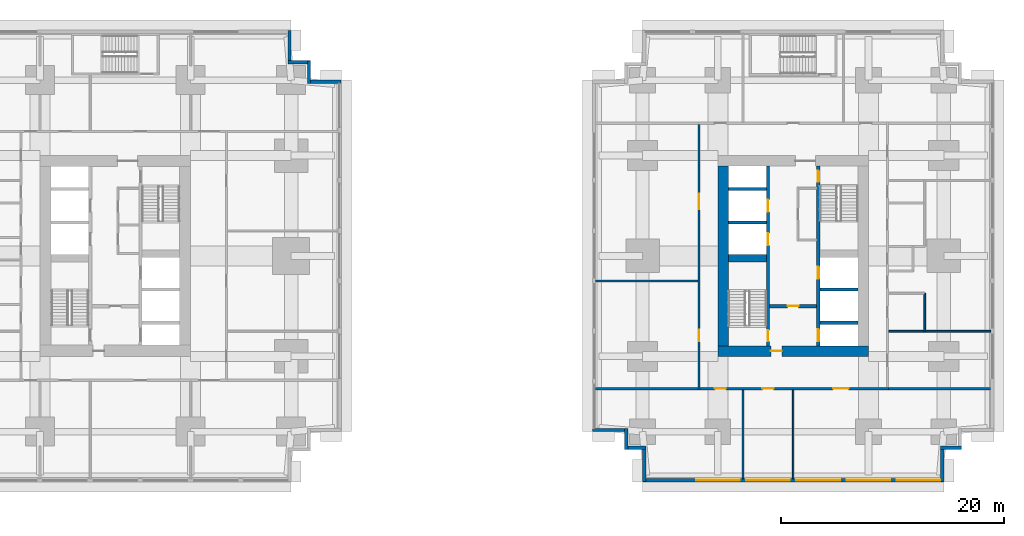
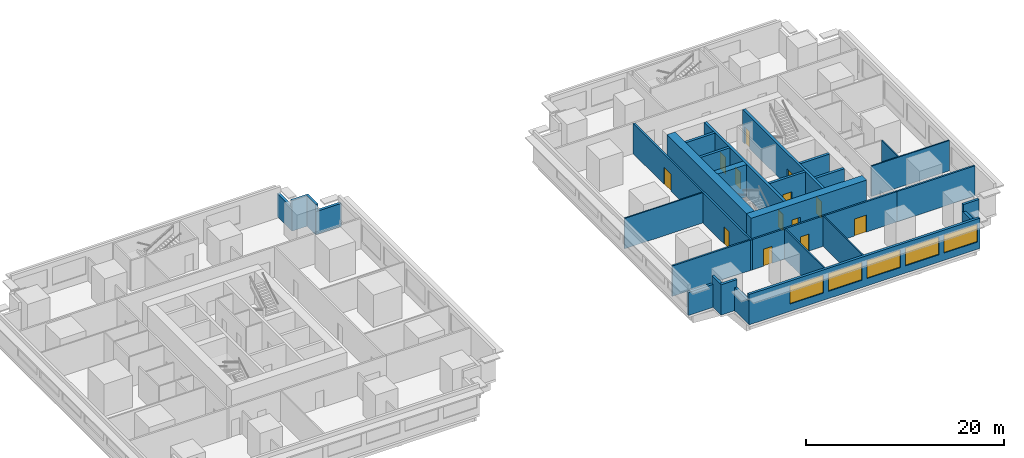
# One storey, part 6 of 11: 30 walls, 13 doors, 5 windows, 18 openings.
"""IFC4 building model written with IfcOpenShell, lengths in metres."""

import ifcopenshell
import ifcopenshell.guid

model = None  # the IFC model being written
_history = None  # IfcOwnerHistory: only IFC2X3 demands one
_inside = {}  # id of a spatial element -> (the spatial element, [elements in it])
_under = {}  # id of a project, library or spatial element -> (it, [spatial elements below it])
_declared = {}  # id of a project -> (the project, [libraries it declares])
_typed = {}  # id of a type object -> (the type object, [elements of that type])
_made_of = {}  # id of a material, layer set ... -> (it, [elements and type objects made of it])


def new_model(schema):
    """Start an empty IFC model of exactly this schema.

    Asked for "IFC4X3", IfcOpenShell would pick the latest addendum, in which some entities
    have other attributes; the version numbers below select the first issue.
    IFC2X3 requires an IfcOwnerHistory on every rooted entity: one is made here for all.
    """
    global model, _history
    if schema == "IFC4X3":
        model = ifcopenshell.file(schema_version=(4, 3, 0, 0))
    else:
        model = ifcopenshell.file(schema=schema)
    _inside.clear()
    _under.clear()
    _declared.clear()
    _typed.clear()
    _made_of.clear()
    _history = None
    if model.schema == "IFC2X3":
        org = make("IfcOrganization", Name="unknown")
        user = make(
            "IfcPersonAndOrganization",
            ThePerson=make("IfcPerson", FamilyName="unknown"),
            TheOrganization=org,
        )
        app = make(
            "IfcApplication",
            ApplicationDeveloper=org,
            Version="unknown",
            ApplicationFullName="unknown",
            ApplicationIdentifier="unknown",
        )
        _history = make(
            "IfcOwnerHistory",
            OwningUser=user,
            OwningApplication=app,
            ChangeAction="ADDED",
            CreationDate=0,
        )
    return model


def make(cls, **values):
    """One entity of the class cls with the attributes given. An attribute that is None is left unset."""
    return model.create_entity(
        cls, **{name: value for name, value in values.items() if value is not None}
    )


def rooted(cls, **values):
    """An entity with a GlobalId (a new one), such as an element, a storey or a relation."""
    return make(cls, GlobalId=ifcopenshell.guid.new(), OwnerHistory=_history, **values)


def si_unit(unit_type, name, prefix=None):
    """IfcSIUnit, for example si_unit("LENGTHUNIT", "METRE", prefix="MILLI")."""
    return make("IfcSIUnit", UnitType=unit_type, Prefix=prefix, Name=name)


def assignment(units):
    """IfcUnitAssignment: the units of a project."""
    return None if units is None else make("IfcUnitAssignment", Units=units)


def point(xyz):
    """IfcCartesianPoint."""
    return None if xyz is None else make("IfcCartesianPoint", Coordinates=xyz)


def direction(xyz):
    """IfcDirection."""
    return None if xyz is None else make("IfcDirection", DirectionRatios=xyz)


def frame(location, z_axis=None, x_axis=None):
    """IfcAxis2Placement3D, a coordinate frame: its origin and axes. An axis left out is left unset."""
    return make(
        "IfcAxis2Placement3D",
        Location=point(location),
        Axis=direction(z_axis),
        RefDirection=direction(x_axis),
    )


def frame_2d(location, x_axis=None):
    """IfcAxis2Placement2D, a coordinate frame in the plane: its origin and x axis."""
    return make(
        "IfcAxis2Placement2D", Location=point(location), RefDirection=direction(x_axis)
    )


def origin():
    """The frame at (0, 0, 0) with its axes left unset."""
    return frame((0.0, 0.0, 0.0))


def place(relative_to, where):
    """IfcLocalPlacement: puts the frame where relative to a parent placement (None: the world)."""
    return make(
        "IfcLocalPlacement", PlacementRelTo=relative_to, RelativePlacement=where
    )


def context(
    kind, dimensions, precision=None, world=None, true_north=None, identifier=None
):
    """IfcGeometricRepresentationContext, for example the 3D "Model" context."""
    return make(
        "IfcGeometricRepresentationContext",
        ContextIdentifier=identifier,
        ContextType=kind,
        CoordinateSpaceDimension=dimensions,
        Precision=precision,
        WorldCoordinateSystem=world,
        TrueNorth=true_north,
    )


def subcontext(parent, identifier, kind, view, scale=None):
    """IfcGeometricRepresentationSubContext, for example "Body" below "Model"."""
    return make(
        "IfcGeometricRepresentationSubContext",
        ContextIdentifier=identifier,
        ContextType=kind,
        ParentContext=parent,
        TargetScale=scale,
        TargetView=view,
    )


def project(units=None, contexts=None):
    """IfcProject with its units and contexts."""
    return rooted(
        "IfcProject",
        Name="project",
        RepresentationContexts=contexts,
        UnitsInContext=assignment(units),
    )


def spatial(cls, under=None, at=None, **own):
    """A site, building, storey or space (cls), placed at a placement, below another one or the project."""
    s = rooted(cls, ObjectPlacement=at, **own)
    if under is not None:
        _under.setdefault(under.id(), (under, []))[1].append(s)
    return s


def profile(cls, at=None, kind="AREA", **sizes):
    """A parametric profile (cls). Its sizes go by their IFC names, for example OverallWidth=200.0."""
    return make(cls, ProfileType=kind, Position=at, **sizes)


def rectangle(**sizes):
    """IfcRectangleProfileDef."""
    return profile("IfcRectangleProfileDef", **sizes)


def extrude(swept, where, along, depth):
    """IfcExtrudedAreaSolid: the profile swept, set in the frame where, extruded along a direction by depth."""
    return make(
        "IfcExtrudedAreaSolid",
        SweptArea=swept,
        Position=where,
        ExtrudedDirection=direction(along),
        Depth=depth,
    )


def shape(context_of_items, identifier, shape_type, items):
    """IfcShapeRepresentation: the items that make up one representation, for example the "Body"."""
    return make(
        "IfcShapeRepresentation",
        ContextOfItems=context_of_items,
        RepresentationIdentifier=identifier,
        RepresentationType=shape_type,
        Items=items,
    )


def material(Name=None, Category=None):
    """IfcMaterial."""
    return make("IfcMaterial", Name=Name, Category=Category)


def layer(
    of_material, thickness, ventilated=None, Name=None, Category=None, Priority=None
):
    """IfcMaterialLayer: one layer of a wall or slab, of a material (None: an air gap)."""
    return make(
        "IfcMaterialLayer",
        Material=of_material,
        LayerThickness=thickness,
        IsVentilated=ventilated,
        Name=Name,
        Category=Category,
        Priority=Priority,
    )


def layer_set(layers, Name=None):
    """IfcMaterialLayerSet."""
    return make("IfcMaterialLayerSet", MaterialLayers=layers, LayerSetName=Name)


def made_of(thing, what):
    """Note that an element or type object is made of a material, layer set ...; save() writes the relation."""
    if what is not None:
        _made_of.setdefault(what.id(), (what, []))[1].append(thing)
    return thing


def type_object(cls, material=None, **own):
    """A type object (cls), such as IfcWallType, which elements share."""
    return made_of(rooted(cls, **own), material)


def element(
    cls,
    number,
    at=None,
    inside=None,
    cuts=None,
    type_object=None,
    material=None,
    context=None,
    identifier="Body",
    shape_type=None,
    held_by="IfcProductDefinitionShape",
    body=None,
    shapes=None,
    **own,
):
    """One element of the class cls, such as IfcWall. Its Tag is "e" and its number.

    at: its placement. inside: the storey or other place that contains it. cuts: it is an
    opening in that element (IfcRelVoidsElement). A single representation is given by context,
    identifier, shape_type and body (its items); several are given by shapes. held_by: the class
    of the entity that holds the representations. save() writes the other relations.
    """
    e = rooted(cls, Tag="e%d" % number, ObjectPlacement=at, **own)
    if body is not None:
        shapes = [shape(context, identifier, shape_type, body)]
    if shapes is not None:
        e.Representation = make(held_by, Representations=shapes)
    if inside is not None:
        _inside.setdefault(inside.id(), (inside, []))[1].append(e)
    if cuts is not None:
        rooted(
            "IfcRelVoidsElement", RelatingBuildingElement=cuts, RelatedOpeningElement=e
        )
    if type_object is not None:
        _typed.setdefault(type_object.id(), (type_object, []))[1].append(e)
    return made_of(e, material)


def fill(opening, filler):
    """IfcRelFillsElement: the door or window that sits in an opening."""
    return rooted(
        "IfcRelFillsElement",
        RelatingOpeningElement=opening,
        RelatedBuildingElement=filler,
    )


def aggregate(whole, parts):
    """IfcRelAggregates: a whole, such as a stair, and the parts it consists of."""
    return rooted("IfcRelAggregates", RelatingObject=whole, RelatedObjects=parts)


def save(model, path):
    """Write the relations noted so far, then the file.

    IfcRelAggregates (storeys below a building ...), IfcRelContainedInSpatialStructure (elements
    in a storey), IfcRelDefinesByType, IfcRelAssociatesMaterial and IfcRelDeclares: one each for
    every whole, place, type object, material and project.
    """
    for whole, parts in _under.values():
        aggregate(whole, parts)
    for where, things in _inside.values():
        rooted(
            "IfcRelContainedInSpatialStructure",
            RelatedElements=things,
            RelatingStructure=where,
        )
    for kind, things in _typed.values():
        rooted("IfcRelDefinesByType", RelatedObjects=things, RelatingType=kind)
    for what, things in _made_of.values():
        rooted("IfcRelAssociatesMaterial", RelatedObjects=things, RelatingMaterial=what)
    for by, libraries in _declared.values():
        rooted("IfcRelDeclares", RelatingContext=by, RelatedDefinitions=libraries)
    model.write(path)


model = new_model("IFC4")

# Units and contexts
model_context = context("Model", 3, precision=1e-05, world=origin(), true_north=direction((0.0, 1.0)))
body_context = subcontext(model_context, "Body", "Model", "MODEL_VIEW")
ifc_project = project(units=[si_unit("LENGTHUNIT", "METRE"), si_unit("AREAUNIT", "SQUARE_METRE"), si_unit("VOLUMEUNIT", "CUBIC_METRE"), si_unit("PLANEANGLEUNIT", "RADIAN"), si_unit("MASSUNIT", "GRAM", prefix="KILO")], contexts=[model_context])

# Site, building, storey
site_placement = place(None, origin())
site = spatial("IfcSite", under=ifc_project, at=site_placement, CompositionType="ELEMENT")
building_placement = place(site_placement, origin())
building = spatial("IfcBuilding", under=site, at=building_placement, Name="Namib Vertical Campus", CompositionType="ELEMENT")
storey_placement = place(building_placement, frame((0.0, 0.0, 41.0)))
storey = spatial("IfcBuildingStorey", under=building, at=storey_placement, Name="L09", CompositionType="ELEMENT", Elevation=41.0)

# Wall, openings, doors
ifc_material_1 = material(Name="Concrete C60/75", Category="concrete")
ifc_layer_1 = layer(ifc_material_1, 0.300048828125)
ifc_layer_set_1 = layer_set([ifc_layer_1], Name="Concrete C60/75")
wall_type_1 = type_object("IfcWallType", Name="Core inner wall 300", PredefinedType="SHEAR", material=ifc_layer_set_1)
wall_1_placement = place(storey_placement, frame((78.75, 12.199951171875, 0.0), z_axis=(0.0, 0.0, 1.0), x_axis=(0.0, 1.0, 0.0)))
wall_1 = element("IfcWall", 1, at=wall_1_placement, inside=storey, type_object=wall_type_1, Name="Core inner wall B L09 W1", PredefinedType="SHEAR", context=body_context, shape_type="SweptSolid", body=[
    extrude(rectangle(XDim=16.10009765625, YDim=0.300048828125, at=frame_2d((8.050048828125, 0.0))), origin(), (0.0, 0.0, 1.0), 4.0),
])
opening_1_placement = place(wall_1_placement, frame((0.39990234375, 0.0, 0.0)))
opening_1 = element("IfcOpeningElement", 2, at=opening_1_placement, cuts=wall_1, Name="Opening FD1", PredefinedType="OPENING", context=body_context, shape_type="SweptSolid", body=[
    extrude(rectangle(XDim=1.0, YDim=2.10009765625, at=frame_2d((0.5, 1.050048828125))), frame((0.0, 0.159912109375, 0.0), z_axis=(0.0, -1.0, 0.0), x_axis=(1.0, 0.0, 0.0)), (0.0, 0.0, 1.0), 0.320068359375),
])
opening_2_placement = place(wall_1_placement, frame((9.0, 0.0, 0.0)))
opening_2 = element("IfcOpeningElement", 3, at=opening_2_placement, cuts=wall_1, Name="Opening LD1", PredefinedType="OPENING", context=body_context, shape_type="SweptSolid", body=[
    extrude(rectangle(XDim=1.10009765625, YDim=2.10009765625, at=frame_2d((0.550048828125, 1.050048828125))), frame((0.0, 0.159912109375, 0.0), z_axis=(0.0, -1.0, 0.0), x_axis=(1.0, 0.0, 0.0)), (0.0, 0.0, 1.0), 0.320068359375),
])
opening_3_placement = place(wall_1_placement, frame((12.0, 0.0, 0.0)))
opening_3 = element("IfcOpeningElement", 4, at=opening_3_placement, cuts=wall_1, Name="Opening LD1", PredefinedType="OPENING", context=body_context, shape_type="SweptSolid", body=[
    extrude(rectangle(XDim=1.10009765625, YDim=2.10009765625, at=frame_2d((0.550048828125, 1.050048828125))), frame((0.0, 0.159912109375, 0.0), z_axis=(0.0, -1.0, 0.0), x_axis=(1.0, 0.0, 0.0)), (0.0, 0.0, 1.0), 0.320068359375),
])
ifc_material_2 = material(Name="Steel fire door", Category="steel")
door_type_1 = type_object("IfcDoorType", Name="Fire door 1000x2100", OperationType="SINGLE_SWING_RIGHT", PredefinedType="DOOR", material=ifc_material_2)
door_1_placement = place(opening_1_placement, origin())
door_1 = element("IfcDoor", 5, at=door_1_placement, inside=storey, type_object=door_type_1, Name="Stair door FD1 B L09 S1", OperationType="SINGLE_SWING_LEFT", OverallHeight=2.10009765625, OverallWidth=1.0, PredefinedType="DOOR", context=body_context, shape_type="SweptSolid", body=[
    extrude(rectangle(XDim=1.0, YDim=2.10009765625, at=frame_2d((0.5, 1.050048828125))), frame((0.0, 0.02490234375, 0.0), z_axis=(0.0, -1.0, 0.0), x_axis=(1.0, 0.0, 0.0)), (0.0, 0.0, 1.0), 0.050048828125),
])
fill(opening_1, door_1)
ifc_material_3 = material(Name="Stainless steel lift door", Category="steel")
door_type_2 = type_object("IfcDoorType", Name="Lift landing door 1100x2100", OperationType="DOUBLE_DOOR_SLIDING", PredefinedType="DOOR", material=ifc_material_3)
door_2_placement = place(opening_2_placement, origin())
door_2 = element("IfcDoor", 6, at=door_2_placement, inside=storey, type_object=door_type_2, Name="Lift landing door LD1 B-P1 L09", OperationType="DOUBLE_DOOR_SLIDING", OverallHeight=2.10009765625, OverallWidth=1.10009765625, PredefinedType="DOOR", context=body_context, shape_type="SweptSolid", body=[
    extrude(rectangle(XDim=1.10009765625, YDim=2.10009765625, at=frame_2d((0.550048828125, 1.050048828125))), frame((0.0, 0.02490234375, 0.0), z_axis=(0.0, -1.0, 0.0), x_axis=(1.0, 0.0, 0.0)), (0.0, 0.0, 1.0), 0.050048828125),
])
fill(opening_2, door_2)
door_3_placement = place(opening_3_placement, origin())
door_3 = element("IfcDoor", 7, at=door_3_placement, inside=storey, type_object=door_type_2, Name="Lift landing door LD1 B-P2 L09", OperationType="DOUBLE_DOOR_SLIDING", OverallHeight=2.10009765625, OverallWidth=1.10009765625, PredefinedType="DOOR", context=body_context, shape_type="SweptSolid", body=[
    extrude(rectangle(XDim=1.10009765625, YDim=2.10009765625, at=frame_2d((0.550048828125, 1.050048828125))), frame((0.0, 0.02490234375, 0.0), z_axis=(0.0, -1.0, 0.0), x_axis=(1.0, 0.0, 0.0)), (0.0, 0.0, 1.0), 0.050048828125),
])
fill(opening_3, door_3)

wall_2_placement = place(storey_placement, frame((83.25, 12.199951171875, 0.0), z_axis=(0.0, 0.0, 1.0), x_axis=(0.0, 1.0, 0.0)))
wall_2 = element("IfcWall", 8, at=wall_2_placement, inside=storey, type_object=wall_type_1, Name="Core inner wall B L09 W2", PredefinedType="SHEAR", context=body_context, shape_type="SweptSolid", body=[
    extrude(rectangle(XDim=16.10009765625, YDim=0.300048828125, at=frame_2d((8.050048828125, 0.0))), origin(), (0.0, 0.0, 1.0), 4.0),
])
opening_4_placement = place(wall_2_placement, frame((14.699951171875, 0.0, 0.0)))
opening_4 = element("IfcOpeningElement", 9, at=opening_4_placement, cuts=wall_2, Name="Opening FD1", PredefinedType="OPENING", context=body_context, shape_type="SweptSolid", body=[
    extrude(rectangle(XDim=1.0, YDim=2.10009765625, at=frame_2d((0.5, 1.050048828125))), frame((0.0, 0.159912109375, 0.0), z_axis=(0.0, -1.0, 0.0), x_axis=(1.0, 0.0, 0.0)), (0.0, 0.0, 1.0), 0.320068359375),
])
opening_5_placement = place(wall_2_placement, frame((0.39990234375, 0.0, 0.0)))
opening_5 = element("IfcOpeningElement", 10, at=opening_5_placement, cuts=wall_2, Name="Opening LD1", PredefinedType="OPENING", context=body_context, shape_type="SweptSolid", body=[
    extrude(rectangle(XDim=1.10009765625, YDim=2.10009765625, at=frame_2d((0.550048828125, 1.050048828125))), frame((0.0, 0.159912109375, 0.0), z_axis=(0.0, -1.0, 0.0), x_axis=(1.0, 0.0, 0.0)), (0.0, 0.0, 1.0), 0.320068359375),
])
opening_6_placement = place(wall_2_placement, frame((6.0, 0.0, 0.0)))
opening_6 = element("IfcOpeningElement", 11, at=opening_6_placement, cuts=wall_2, Name="Opening LD1", PredefinedType="OPENING", context=body_context, shape_type="SweptSolid", body=[
    extrude(rectangle(XDim=1.10009765625, YDim=2.10009765625, at=frame_2d((0.550048828125, 1.050048828125))), frame((0.0, 0.159912109375, 0.0), z_axis=(0.0, -1.0, 0.0), x_axis=(1.0, 0.0, 0.0)), (0.0, 0.0, 1.0), 0.320068359375),
])
door_4_placement = place(opening_4_placement, frame((1.0, 0.0, 0.0), z_axis=(0.0, 0.0, 1.0), x_axis=(-1.0, 0.0, 0.0)))
door_4 = element("IfcDoor", 12, at=door_4_placement, inside=storey, type_object=door_type_1, Name="Stair door FD1 B L09 S2", OperationType="SINGLE_SWING_LEFT", OverallHeight=2.10009765625, OverallWidth=1.0, PredefinedType="DOOR", context=body_context, shape_type="SweptSolid", body=[
    extrude(rectangle(XDim=1.0, YDim=2.10009765625, at=frame_2d((0.5, 1.050048828125))), frame((0.0, 0.02490234375, 0.0), z_axis=(0.0, -1.0, 0.0), x_axis=(1.0, 0.0, 0.0)), (0.0, 0.0, 1.0), 0.050048828125),
])
fill(opening_4, door_4)
door_5_placement = place(opening_5_placement, origin())
door_5 = element("IfcDoor", 13, at=door_5_placement, inside=storey, type_object=door_type_2, Name="Lift landing door LD1 B-FL1 L09", OperationType="DOUBLE_DOOR_SLIDING", OverallHeight=2.10009765625, OverallWidth=1.10009765625, PredefinedType="DOOR", context=body_context, shape_type="SweptSolid", body=[
    extrude(rectangle(XDim=1.10009765625, YDim=2.10009765625, at=frame_2d((0.550048828125, 1.050048828125))), frame((0.0, 0.02490234375, 0.0), z_axis=(0.0, -1.0, 0.0), x_axis=(1.0, 0.0, 0.0)), (0.0, 0.0, 1.0), 0.050048828125),
])
fill(opening_5, door_5)
door_6_placement = place(opening_6_placement, origin())
door_6 = element("IfcDoor", 14, at=door_6_placement, inside=storey, type_object=door_type_2, Name="Lift landing door LD1 B-P5 L09", OperationType="DOUBLE_DOOR_SLIDING", OverallHeight=2.10009765625, OverallWidth=1.10009765625, PredefinedType="DOOR", context=body_context, shape_type="SweptSolid", body=[
    extrude(rectangle(XDim=1.10009765625, YDim=2.10009765625, at=frame_2d((0.550048828125, 1.050048828125))), frame((0.0, 0.02490234375, 0.0), z_axis=(0.0, -1.0, 0.0), x_axis=(1.0, 0.0, 0.0)), (0.0, 0.0, 1.0), 0.050048828125),
])
fill(opening_6, door_6)

# Wall, opening, door
wall_3_placement = place(storey_placement, frame((78.89990234375, 15.75, 0.0), z_axis=(0.0, 0.0, 1.0), x_axis=(1.0, 0.0, 0.0)))
wall_3 = element("IfcWall", 15, at=wall_3_placement, inside=storey, type_object=wall_type_1, Name="Core inner wall B L09 W4", PredefinedType="SHEAR", context=body_context, shape_type="SweptSolid", body=[
    extrude(rectangle(XDim=4.2001953125, YDim=0.300048828125, at=frame_2d((2.10009765625, 0.0))), origin(), (0.0, 0.0, 1.0), 4.0),
])
opening_7_placement = place(wall_3_placement, frame((1.60009765625, 0.0, 0.0)))
opening_7 = element("IfcOpeningElement", 16, at=opening_7_placement, cuts=wall_3, Name="Opening FD5", PredefinedType="OPENING", context=body_context, shape_type="SweptSolid", body=[
    extrude(rectangle(XDim=1.0, YDim=2.10009765625, at=frame_2d((0.5, 1.050048828125))), frame((0.0, 0.159912109375, 0.0), z_axis=(0.0, -1.0, 0.0), x_axis=(1.0, 0.0, 0.0)), (0.0, 0.0, 1.0), 0.320068359375),
])
ifc_material_4 = material(Name="Steel fire door", Category="steel")
door_type_3 = type_object("IfcDoorType", Name="Fire door 1000x2100 120 min", OperationType="SINGLE_SWING_RIGHT", PredefinedType="DOOR", material=ifc_material_4)
door_7_placement = place(opening_7_placement, frame((1.0, 0.0, 0.0), z_axis=(0.0, 0.0, 1.0), x_axis=(-1.0, 0.0, 0.0)))
door_7 = element("IfcDoor", 17, at=door_7_placement, inside=storey, type_object=door_type_3, Name="Lobby door FD5 B L09", OperationType="SINGLE_SWING_RIGHT", OverallHeight=2.10009765625, OverallWidth=1.0, PredefinedType="DOOR", context=body_context, shape_type="SweptSolid", body=[
    extrude(rectangle(XDim=1.0, YDim=2.10009765625, at=frame_2d((0.5, 1.050048828125))), frame((0.0, 0.02490234375, 0.0), z_axis=(0.0, -1.0, 0.0), x_axis=(1.0, 0.0, 0.0)), (0.0, 0.0, 1.0), 0.050048828125),
])
fill(opening_7, door_7)

# Walls
for number, where, z_axis, x_axis, name in (
    (18, (83.39990234375, 14.25, 0.0), (0.0, 0.0, 1.0), (1.0, 0.0, 0.0), "Core inner wall B L09 W5"),
    (19, (83.39990234375, 17.25, 0.0), (0.0, 0.0, 1.0), (1.0, 0.0, 0.0), "Core inner wall B L09 W6"),
    (20, (75.199951171875, 23.25, 0.0), (0.0, 0.0, 1.0), (1.0, 0.0, 0.0), "Core inner wall B L09 W8"),
    (21, (75.199951171875, 26.25, 0.0), (0.0, 0.0, 1.0), (1.0, 0.0, 0.0), "Core inner wall B L09 W9"),
):
    element("IfcWall", number, at=place(storey_placement, frame(where, z_axis=z_axis, x_axis=x_axis)), inside=storey, type_object=wall_type_1, Name=name, PredefinedType="SHEAR", context=body_context, shape_type="SweptSolid", body=[
        extrude(rectangle(XDim=3.400146484375, YDim=0.300048828125, at=frame_2d((1.7001953125, 0.0))), origin(), (0.0, 0.0, 1.0), 4.0),
    ])
ifc_material_5 = material(Name="Concrete C60/75", Category="concrete")
ifc_layer_2 = layer(ifc_material_5, 0.699951171875)
ifc_layer_set_2 = layer_set([ifc_layer_2], Name="Concrete C60/75")
wall_type_2 = type_object("IfcWallType", Name="Core shear wall 700", PredefinedType="SHEAR", material=ifc_layer_set_2)
wall_4_placement = place(storey_placement, frame((75.199951171875, 20.050048828125, 0.0), z_axis=(0.0, 0.0, 1.0), x_axis=(1.0, 0.0, 0.0)))
element("IfcWall", 22, at=wall_4_placement, inside=storey, type_object=wall_type_2, Name="Core shear wall B L09 W3", PredefinedType="SHEAR", context=body_context, shape_type="SweptSolid", body=[
    extrude(rectangle(XDim=3.400146484375, YDim=0.699951171875, at=frame_2d((1.7001953125, 0.0))), origin(), (0.0, 0.0, 1.0), 4.0),
])

# Wall, opening, door
ifc_material_6 = material(Name="Concrete C60/75", Category="concrete")
ifc_layer_3 = layer(ifc_material_6, 0.949951171875)
ifc_layer_set_3 = layer_set([ifc_layer_3], Name="Concrete C60/75")
wall_type_3 = type_object("IfcWallType", Name="Core wall 950", PredefinedType="SHEAR", material=ifc_layer_set_3)
wall_5_placement = place(storey_placement, frame((74.25, 11.72509765625, 0.0), z_axis=(0.0, 0.0, 1.0), x_axis=(1.0, 0.0, 0.0)))
wall_5 = element("IfcWall", 23, at=wall_5_placement, inside=storey, type_object=wall_type_3, Name="Core wall B L09 1", PredefinedType="SHEAR", context=body_context, shape_type="SweptSolid", body=[
    extrude(rectangle(XDim=13.5, YDim=0.949951171875, at=frame_2d((6.75, 0.0))), origin(), (0.0, 0.0, 1.0), 4.0),
])
opening_8_placement = place(wall_5_placement, frame((4.75, 0.0, 0.0)))
opening_8 = element("IfcOpeningElement", 24, at=opening_8_placement, cuts=wall_5, Name="Opening FD5", PredefinedType="OPENING", context=body_context, shape_type="SweptSolid", body=[
    extrude(rectangle(XDim=1.0, YDim=2.10009765625, at=frame_2d((0.5, 1.050048828125))), frame((0.0, 0.48486328125, 0.0), z_axis=(0.0, -1.0, 0.0), x_axis=(1.0, 0.0, 0.0)), (0.0, 0.0, 1.0), 0.969970703125),
])
door_8_placement = place(opening_8_placement, origin())
door_8 = element("IfcDoor", 25, at=door_8_placement, inside=storey, type_object=door_type_3, Name="Firefighting lobby door FD5 B L09", OperationType="SINGLE_SWING_LEFT", OverallHeight=2.10009765625, OverallWidth=1.0, PredefinedType="DOOR", context=body_context, shape_type="SweptSolid", body=[
    extrude(rectangle(XDim=1.0, YDim=2.10009765625, at=frame_2d((0.5, 1.050048828125))), frame((0.0, 0.02490234375, 0.0), z_axis=(0.0, -1.0, 0.0), x_axis=(1.0, 0.0, 0.0)), (0.0, 0.0, 1.0), 0.050048828125),
])
fill(opening_8, door_8)

# Wall
wall_6_placement = place(storey_placement, frame((74.72509765625, 28.300048828125, 0.0), z_axis=(0.0, 0.0, 1.0), x_axis=(0.0, -1.0, 0.0)))
element("IfcWall", 26, at=wall_6_placement, inside=storey, type_object=wall_type_3, Name="Core wall B L09 4", PredefinedType="SHEAR", context=body_context, shape_type="SweptSolid", body=[
    extrude(rectangle(XDim=16.10009765625, YDim=0.949951171875, at=frame_2d((8.050048828125, 0.0))), origin(), (0.0, 0.0, 1.0), 4.0),
])

# Wall, openings, doors
ifc_material_7 = material(Name="Concrete masonry", Category="masonry")
ifc_layer_4 = layer(ifc_material_7, 0.199951171875)
ifc_layer_set_4 = layer_set([ifc_layer_4], Name="Corridor wall 200")
wall_type_4 = type_object("IfcWallType", Name="Corridor wall 200", PredefinedType="SOLIDWALL", material=ifc_layer_set_4)
wall_7_placement = place(storey_placement, frame((72.64990234375, 8.35009765625, 0.0), z_axis=(0.0, 0.0, 1.0), x_axis=(1.0, 0.0, 0.0)))
wall_7 = element("IfcWall", 27, at=wall_7_placement, inside=storey, type_object=wall_type_4, Name="Corridor wall B L09 CS", PredefinedType="SOLIDWALL", context=body_context, shape_type="SweptSolid", body=[
    extrude(rectangle(XDim=16.900146484375, YDim=0.199951171875, at=frame_2d((8.4501953125, 0.0))), origin(), (0.0, 0.0, 1.0), 3.75),
])
opening_9_placement = place(wall_7_placement, frame((1.324951171875, 0.0, 0.0)))
opening_9 = element("IfcOpeningElement", 28, at=opening_9_placement, cuts=wall_7, Name="Opening CD1", PredefinedType="OPENING", context=body_context, shape_type="SweptSolid", body=[
    extrude(rectangle(XDim=1.0, YDim=2.10009765625, at=frame_2d((0.5, 1.050048828125))), frame((0.0, 0.10986328125, 0.0), z_axis=(0.0, -1.0, 0.0), x_axis=(1.0, 0.0, 0.0)), (0.0, 0.0, 1.0), 0.219970703125),
])
opening_10_placement = place(wall_7_placement, frame((5.60009765625, 0.0, 0.0)))
opening_10 = element("IfcOpeningElement", 29, at=opening_10_placement, cuts=wall_7, Name="Opening CD1", PredefinedType="OPENING", context=body_context, shape_type="SweptSolid", body=[
    extrude(rectangle(XDim=1.0, YDim=2.10009765625, at=frame_2d((0.5, 1.050048828125))), frame((0.0, 0.10986328125, 0.0), z_axis=(0.0, -1.0, 0.0), x_axis=(1.0, 0.0, 0.0)), (0.0, 0.0, 1.0), 0.219970703125),
])
opening_11_placement = place(wall_7_placement, frame((11.925048828125, 0.0, 0.0)))
opening_11 = element("IfcOpeningElement", 30, at=opening_11_placement, cuts=wall_7, Name="Opening LB1", PredefinedType="OPENING", context=body_context, shape_type="SweptSolid", body=[
    extrude(rectangle(XDim=1.39990234375, YDim=2.10009765625, at=frame_2d((0.699951171875, 1.050048828125))), frame((0.0, 0.10986328125, 0.0), z_axis=(0.0, -1.0, 0.0), x_axis=(1.0, 0.0, 0.0)), (0.0, 0.0, 1.0), 0.219970703125),
])
ifc_material_8 = material(Name="Timber fire door leaf", Category="wood")
door_type_4 = type_object("IfcDoorType", Name="Corridor door 1000x2100 20 min", OperationType="SINGLE_SWING_LEFT", PredefinedType="DOOR", material=ifc_material_8)
door_9_placement = place(opening_9_placement, frame((1.0, 0.0, 0.0), z_axis=(0.0, 0.0, 1.0), x_axis=(-1.0, 0.0, 0.0)))
door_9 = element("IfcDoor", 31, at=door_9_placement, inside=storey, type_object=door_type_4, Name="Door CD1 B09-01", OperationType="SINGLE_SWING_LEFT", OverallHeight=2.10009765625, OverallWidth=1.0, PredefinedType="DOOR", context=body_context, shape_type="SweptSolid", body=[
    extrude(rectangle(XDim=1.0, YDim=2.10009765625, at=frame_2d((0.5, 1.050048828125))), frame((0.0, 0.02490234375, 0.0), z_axis=(0.0, -1.0, 0.0), x_axis=(1.0, 0.0, 0.0)), (0.0, 0.0, 1.0), 0.050048828125),
])
fill(opening_9, door_9)
door_10_placement = place(opening_10_placement, frame((1.0, 0.0, 0.0), z_axis=(0.0, 0.0, 1.0), x_axis=(-1.0, 0.0, 0.0)))
door_10 = element("IfcDoor", 32, at=door_10_placement, inside=storey, type_object=door_type_4, Name="Door CD1 B09-02", OperationType="SINGLE_SWING_RIGHT", OverallHeight=2.10009765625, OverallWidth=1.0, PredefinedType="DOOR", context=body_context, shape_type="SweptSolid", body=[
    extrude(rectangle(XDim=1.0, YDim=2.10009765625, at=frame_2d((0.5, 1.050048828125))), frame((0.0, 0.02490234375, 0.0), z_axis=(0.0, -1.0, 0.0), x_axis=(1.0, 0.0, 0.0)), (0.0, 0.0, 1.0), 0.050048828125),
])
fill(opening_10, door_10)
ifc_material_9 = material(Name="Timber fire door leaf", Category="wood")
door_type_5 = type_object("IfcDoorType", Name="Laboratory door 1400x2100 leaf and a half", OperationType="DOUBLE_DOOR_SINGLE_SWING", PredefinedType="DOOR", material=ifc_material_9)
door_11_placement = place(opening_11_placement, frame((1.39990234375, 0.0, 0.0), z_axis=(0.0, 0.0, 1.0), x_axis=(-1.0, 0.0, 0.0)))
door_11 = element("IfcDoor", 33, at=door_11_placement, inside=storey, type_object=door_type_5, Name="Door LB1 B09-03", OperationType="DOUBLE_DOOR_SINGLE_SWING", OverallHeight=2.10009765625, OverallWidth=1.39990234375, PredefinedType="DOOR", context=body_context, shape_type="SweptSolid", body=[
    extrude(rectangle(XDim=1.39990234375, YDim=2.10009765625, at=frame_2d((0.699951171875, 1.050048828125))), frame((0.0, 0.02490234375, 0.0), z_axis=(0.0, -1.0, 0.0), x_axis=(1.0, 0.0, 0.0)), (0.0, 0.0, 1.0), 0.050048828125),
])
fill(opening_11, door_11)

wall_8_placement = place(storey_placement, frame((72.550048828125, 32.050048828125, 0.0), z_axis=(0.0, 0.0, 1.0), x_axis=(0.0, -1.0, 0.0)))
wall_8 = element("IfcWall", 34, at=wall_8_placement, inside=storey, type_object=wall_type_4, Name="Corridor wall B L09 CW", PredefinedType="SOLIDWALL", context=body_context, shape_type="SweptSolid", body=[
    extrude(rectangle(XDim=23.800048828125, YDim=0.199951171875, at=frame_2d((11.89990234375, 0.0))), origin(), (0.0, 0.0, 1.0), 3.75),
])
opening_12_placement = place(wall_8_placement, frame((18.425048828125, 0.0, 0.0)))
opening_12 = element("IfcOpeningElement", 35, at=opening_12_placement, cuts=wall_8, Name="Opening CD1", PredefinedType="OPENING", context=body_context, shape_type="SweptSolid", body=[
    extrude(rectangle(XDim=1.0, YDim=2.10009765625, at=frame_2d((0.5, 1.050048828125))), frame((0.0, 0.10986328125, 0.0), z_axis=(0.0, -1.0, 0.0), x_axis=(1.0, 0.0, 0.0)), (0.0, 0.0, 1.0), 0.219970703125),
])
opening_13_placement = place(wall_8_placement, frame((6.22509765625, 0.0, 0.0)))
opening_13 = element("IfcOpeningElement", 36, at=opening_13_placement, cuts=wall_8, Name="Opening LB1", PredefinedType="OPENING", context=body_context, shape_type="SweptSolid", body=[
    extrude(rectangle(XDim=1.39990234375, YDim=2.10009765625, at=frame_2d((0.699951171875, 1.050048828125))), frame((0.0, 0.10986328125, 0.0), z_axis=(0.0, -1.0, 0.0), x_axis=(1.0, 0.0, 0.0)), (0.0, 0.0, 1.0), 0.219970703125),
])
door_12_placement = place(opening_12_placement, frame((1.0, 0.0, 0.0), z_axis=(0.0, 0.0, 1.0), x_axis=(-1.0, 0.0, 0.0)))
door_12 = element("IfcDoor", 37, at=door_12_placement, inside=storey, type_object=door_type_4, Name="Door CD1 B09-14", OperationType="SINGLE_SWING_RIGHT", OverallHeight=2.10009765625, OverallWidth=1.0, PredefinedType="DOOR", context=body_context, shape_type="SweptSolid", body=[
    extrude(rectangle(XDim=1.0, YDim=2.10009765625, at=frame_2d((0.5, 1.050048828125))), frame((0.0, 0.02490234375, 0.0), z_axis=(0.0, -1.0, 0.0), x_axis=(1.0, 0.0, 0.0)), (0.0, 0.0, 1.0), 0.050048828125),
])
fill(opening_12, door_12)
door_13_placement = place(opening_13_placement, frame((1.39990234375, 0.0, 0.0), z_axis=(0.0, 0.0, 1.0), x_axis=(-1.0, 0.0, 0.0)))
door_13 = element("IfcDoor", 38, at=door_13_placement, inside=storey, type_object=door_type_5, Name="Door LB1 B09-15", OperationType="DOUBLE_DOOR_SINGLE_SWING", OverallHeight=2.10009765625, OverallWidth=1.39990234375, PredefinedType="DOOR", context=body_context, shape_type="SweptSolid", body=[
    extrude(rectangle(XDim=1.39990234375, YDim=2.10009765625, at=frame_2d((0.699951171875, 1.050048828125))), frame((0.0, 0.02490234375, 0.0), z_axis=(0.0, -1.0, 0.0), x_axis=(1.0, 0.0, 0.0)), (0.0, 0.0, 1.0), 0.050048828125),
])
fill(opening_13, door_13)

# Walls
for number, where, z_axis, x_axis, name in (
    (39, (63.300048828125, 8.35009765625, 0.0), (0.0, 0.0, 1.0), (1.0, 0.0, 0.0), "Partition B L09 BSW"),
    (40, (89.550048828125, 8.35009765625, 0.0), (0.0, 0.0, 1.0), (1.0, 0.0, 0.0), "Partition B L09 BSE"),
):
    element("IfcWall", number, at=place(storey_placement, frame(where, z_axis=z_axis, x_axis=x_axis)), inside=storey, type_object=wall_type_4, Name=name, PredefinedType="SOLIDWALL", context=body_context, shape_type="SweptSolid", body=[
        extrude(rectangle(XDim=9.14990234375, YDim=0.199951171875, at=frame_2d((4.574951171875, 0.0))), origin(), (0.0, 0.0, 1.0), 3.75),
    ])
ifc_material_10 = material(Name="Concrete C40/50", Category="concrete")
ifc_layer_5 = layer(ifc_material_10, 0.300048828125)
ifc_layer_set_5 = layer_set([ifc_layer_5], Name="Concrete C40/50")
wall_type_5 = type_object("IfcWallType", Name="External wall 300 board-marked concrete", PredefinedType="STANDARD", material=ifc_layer_set_5)
wall_9_placement = place(storey_placement, frame((40.47998046875, 35.85009765625, 0.0), z_axis=(0.0, 0.0, 1.0), x_axis=(-1.0, 0.0, 0.0)))
element("IfcWall", 41, at=wall_9_placement, inside=storey, type_object=wall_type_5, Name="External wall L09 F07", PredefinedType="STANDARD", context=body_context, shape_type="SweptSolid", body=[
    extrude(rectangle(XDim=3.010009765625, YDim=0.300048828125, at=frame_2d((1.5048828125, 0.0))), origin(), (0.0, 0.0, 1.0), 2.85009765625),
])
for number, where, z_axis, x_axis, name in (
    (42, (37.60009765625, 35.719970703125, 0.0), (0.0, 0.0, 1.0), (0.0, 1.0, 0.0), "External wall L09 F08"),
    (43, (37.72998046875, 37.60009765625, 0.0), (0.0, 0.0, 1.0), (-1.0, 0.0, 0.0), "External wall L09 F09"),
):
    element("IfcWall", number, at=place(storey_placement, frame(where, z_axis=z_axis, x_axis=x_axis)), inside=storey, type_object=wall_type_5, Name=name, PredefinedType="STANDARD", context=body_context, shape_type="SweptSolid", body=[
        extrude(rectangle(XDim=2.010009765625, YDim=0.300048828125, at=frame_2d((1.0048828125, 0.0))), origin(), (0.0, 0.0, 1.0), 3.75),
    ])
wall_10_placement = place(storey_placement, frame((35.85009765625, 37.469970703125, 0.0), z_axis=(0.0, 0.0, 1.0), x_axis=(0.0, 1.0, 0.0)))
element("IfcWall", 44, at=wall_10_placement, inside=storey, type_object=wall_type_5, Name="External wall L09 F10", PredefinedType="STANDARD", context=body_context, shape_type="SweptSolid", body=[
    extrude(rectangle(XDim=3.010009765625, YDim=0.300048828125, at=frame_2d((1.5048828125, 0.0))), origin(), (0.0, 0.0, 1.0), 2.85009765625),
])

# Wall, openings, windows
wall_11_placement = place(storey_placement, frame((67.52001953125, 0.14990234375, 0.0), z_axis=(0.0, 0.0, 1.0), x_axis=(1.0, 0.0, 0.0)))
wall_11 = element("IfcWall", 45, at=wall_11_placement, inside=storey, type_object=wall_type_5, Name="External wall L09 F01", PredefinedType="STANDARD", context=body_context, shape_type="SweptSolid", body=[
    extrude(rectangle(XDim=26.9599609375, YDim=0.300048828125, at=frame_2d((13.47998046875, 0.0))), origin(), (0.0, 0.0, 1.0), 3.75),
])
opening_14_placement = place(wall_11_placement, frame((4.780029296875, 0.0, 0.89990234375)))
opening_14 = element("IfcOpeningElement", 46, at=opening_14_placement, cuts=wall_11, Name="Opening W1", PredefinedType="OPENING", context=body_context, shape_type="SweptSolid", body=[
    extrude(rectangle(XDim=3.89990234375, YDim=2.199951171875, at=frame_2d((1.949951171875, 1.10009765625))), frame((0.0, 0.159912109375, 0.0), z_axis=(0.0, -1.0, 0.0), x_axis=(1.0, 0.0, 0.0)), (0.0, 0.0, 1.0), 0.320068359375),
])
opening_15_placement = place(wall_11_placement, frame((9.280029296875, 0.0, 0.89990234375)))
opening_15 = element("IfcOpeningElement", 47, at=opening_15_placement, cuts=wall_11, Name="Opening W1", PredefinedType="OPENING", context=body_context, shape_type="SweptSolid", body=[
    extrude(rectangle(XDim=3.89990234375, YDim=2.199951171875, at=frame_2d((1.949951171875, 1.10009765625))), frame((0.0, 0.159912109375, 0.0), z_axis=(0.0, -1.0, 0.0), x_axis=(1.0, 0.0, 0.0)), (0.0, 0.0, 1.0), 0.320068359375),
])
opening_16_placement = place(wall_11_placement, frame((13.780029296875, 0.0, 0.89990234375)))
opening_16 = element("IfcOpeningElement", 48, at=opening_16_placement, cuts=wall_11, Name="Opening W1", PredefinedType="OPENING", context=body_context, shape_type="SweptSolid", body=[
    extrude(rectangle(XDim=3.89990234375, YDim=2.199951171875, at=frame_2d((1.949951171875, 1.10009765625))), frame((0.0, 0.159912109375, 0.0), z_axis=(0.0, -1.0, 0.0), x_axis=(1.0, 0.0, 0.0)), (0.0, 0.0, 1.0), 0.320068359375),
])
opening_17_placement = place(wall_11_placement, frame((18.280029296875, 0.0, 0.89990234375)))
opening_17 = element("IfcOpeningElement", 49, at=opening_17_placement, cuts=wall_11, Name="Opening W1", PredefinedType="OPENING", context=body_context, shape_type="SweptSolid", body=[
    extrude(rectangle(XDim=3.89990234375, YDim=2.199951171875, at=frame_2d((1.949951171875, 1.10009765625))), frame((0.0, 0.159912109375, 0.0), z_axis=(0.0, -1.0, 0.0), x_axis=(1.0, 0.0, 0.0)), (0.0, 0.0, 1.0), 0.320068359375),
])
opening_18_placement = place(wall_11_placement, frame((22.780029296875, 0.0, 0.89990234375)))
opening_18 = element("IfcOpeningElement", 50, at=opening_18_placement, cuts=wall_11, Name="Opening W1", PredefinedType="OPENING", context=body_context, shape_type="SweptSolid", body=[
    extrude(rectangle(XDim=3.89990234375, YDim=2.199951171875, at=frame_2d((1.949951171875, 1.10009765625))), frame((0.0, 0.159912109375, 0.0), z_axis=(0.0, -1.0, 0.0), x_axis=(1.0, 0.0, 0.0)), (0.0, 0.0, 1.0), 0.320068359375),
])
ifc_material_11 = material(Name="Dark tinted glass in black aluminium frame", Category="aluminium")
window_type = type_object("IfcWindowType", Name="Ribbon window 3900x2200", PartitioningType="SINGLE_PANEL", PredefinedType="WINDOW", material=ifc_material_11)
window_1_placement = place(opening_14_placement, origin())
window_1 = element("IfcWindow", 51, at=window_1_placement, inside=storey, type_object=window_type, Name="Window W1 L09 F01-2", OverallHeight=2.199951171875, OverallWidth=3.89990234375, PartitioningType="SINGLE_PANEL", PredefinedType="WINDOW", context=body_context, shape_type="SweptSolid", body=[
    extrude(rectangle(XDim=3.89990234375, YDim=2.199951171875, at=frame_2d((1.949951171875, 1.10009765625))), frame((0.0, 0.030029296875, 0.0), z_axis=(0.0, -1.0, 0.0), x_axis=(1.0, 0.0, 0.0)), (0.0, 0.0, 1.0), 0.06005859375),
])
fill(opening_14, window_1)
window_2_placement = place(opening_15_placement, origin())
window_2 = element("IfcWindow", 52, at=window_2_placement, inside=storey, type_object=window_type, Name="Window W1 L09 F01-3", OverallHeight=2.199951171875, OverallWidth=3.89990234375, PartitioningType="SINGLE_PANEL", PredefinedType="WINDOW", context=body_context, shape_type="SweptSolid", body=[
    extrude(rectangle(XDim=3.89990234375, YDim=2.199951171875, at=frame_2d((1.949951171875, 1.10009765625))), frame((0.0, 0.030029296875, 0.0), z_axis=(0.0, -1.0, 0.0), x_axis=(1.0, 0.0, 0.0)), (0.0, 0.0, 1.0), 0.06005859375),
])
fill(opening_15, window_2)
window_3_placement = place(opening_16_placement, origin())
window_3 = element("IfcWindow", 53, at=window_3_placement, inside=storey, type_object=window_type, Name="Window W1 L09 F01-4", OverallHeight=2.199951171875, OverallWidth=3.89990234375, PartitioningType="SINGLE_PANEL", PredefinedType="WINDOW", context=body_context, shape_type="SweptSolid", body=[
    extrude(rectangle(XDim=3.89990234375, YDim=2.199951171875, at=frame_2d((1.949951171875, 1.10009765625))), frame((0.0, 0.030029296875, 0.0), z_axis=(0.0, -1.0, 0.0), x_axis=(1.0, 0.0, 0.0)), (0.0, 0.0, 1.0), 0.06005859375),
])
fill(opening_16, window_3)
window_4_placement = place(opening_17_placement, origin())
window_4 = element("IfcWindow", 54, at=window_4_placement, inside=storey, type_object=window_type, Name="Window W1 L09 F01-5", OverallHeight=2.199951171875, OverallWidth=3.89990234375, PartitioningType="SINGLE_PANEL", PredefinedType="WINDOW", context=body_context, shape_type="SweptSolid", body=[
    extrude(rectangle(XDim=3.89990234375, YDim=2.199951171875, at=frame_2d((1.949951171875, 1.10009765625))), frame((0.0, 0.030029296875, 0.0), z_axis=(0.0, -1.0, 0.0), x_axis=(1.0, 0.0, 0.0)), (0.0, 0.0, 1.0), 0.06005859375),
])
fill(opening_17, window_4)
window_5_placement = place(opening_18_placement, origin())
window_5 = element("IfcWindow", 55, at=window_5_placement, inside=storey, type_object=window_type, Name="Window W1 L09 F01-6", OverallHeight=2.199951171875, OverallWidth=3.89990234375, PartitioningType="SINGLE_PANEL", PredefinedType="WINDOW", context=body_context, shape_type="SweptSolid", body=[
    extrude(rectangle(XDim=3.89990234375, YDim=2.199951171875, at=frame_2d((1.949951171875, 1.10009765625))), frame((0.0, 0.030029296875, 0.0), z_axis=(0.0, -1.0, 0.0), x_axis=(1.0, 0.0, 0.0)), (0.0, 0.0, 1.0), 0.06005859375),
])
fill(opening_18, window_5)

# Walls
wall_12_placement = place(storey_placement, frame((94.35009765625, 0.02001953125, 0.0), z_axis=(0.0, 0.0, 1.0), x_axis=(0.0, 1.0, 0.0)))
element("IfcWall", 56, at=wall_12_placement, inside=storey, type_object=wall_type_5, Name="External wall L09 F02", PredefinedType="STANDARD", context=body_context, shape_type="SweptSolid", body=[
    extrude(rectangle(XDim=3.159912109375, YDim=0.300048828125, at=frame_2d((1.580078125, 0.0))), origin(), (0.0, 0.0, 1.0), 2.85009765625),
])
wall_13_placement = place(storey_placement, frame((94.219970703125, 3.050048828125, 0.0), z_axis=(0.0, 0.0, 1.0), x_axis=(1.0, 0.0, 0.0)))
element("IfcWall", 57, at=wall_13_placement, inside=storey, type_object=wall_type_5, Name="External wall L09 F03", PredefinedType="STANDARD", context=body_context, shape_type="SweptSolid", body=[
    extrude(rectangle(XDim=1.860107421875, YDim=0.300048828125, at=frame_2d((0.93017578125, 0.0))), origin(), (0.0, 0.0, 1.0), 3.75),
])
wall_14_placement = place(storey_placement, frame((63.02001953125, 4.64990234375, 0.0), z_axis=(0.0, 0.0, 1.0), x_axis=(1.0, 0.0, 0.0)))
element("IfcWall", 58, at=wall_14_placement, inside=storey, type_object=wall_type_5, Name="External wall L09 F17", PredefinedType="STANDARD", context=body_context, shape_type="SweptSolid", body=[
    extrude(rectangle(XDim=3.159912109375, YDim=0.300048828125, at=frame_2d((1.580078125, 0.0))), origin(), (0.0, 0.0, 1.0), 2.85009765625),
])
for number, where, z_axis, x_axis, name in (
    (59, (66.050048828125, 4.780029296875, 0.0), (0.0, 0.0, 1.0), (0.0, -1.0, 0.0), "External wall L09 F18"),
    (60, (65.919921875, 3.050048828125, 0.0), (0.0, 0.0, 1.0), (1.0, 0.0, 0.0), "External wall L09 F19"),
):
    element("IfcWall", number, at=place(storey_placement, frame(where, z_axis=z_axis, x_axis=x_axis)), inside=storey, type_object=wall_type_5, Name=name, PredefinedType="STANDARD", context=body_context, shape_type="SweptSolid", body=[
        extrude(rectangle(XDim=1.860107421875, YDim=0.300048828125, at=frame_2d((0.93017578125, 0.0))), origin(), (0.0, 0.0, 1.0), 3.75),
    ])
wall_15_placement = place(storey_placement, frame((67.64990234375, 3.179931640625, 0.0), z_axis=(0.0, 0.0, 1.0), x_axis=(0.0, -1.0, 0.0)))
element("IfcWall", 61, at=wall_15_placement, inside=storey, type_object=wall_type_5, Name="External wall L09 F20", PredefinedType="STANDARD", context=body_context, shape_type="SweptSolid", body=[
    extrude(rectangle(XDim=3.159912109375, YDim=0.300048828125, at=frame_2d((1.580078125, 0.0))), origin(), (0.0, 0.0, 1.0), 2.85009765625),
])
ifc_material_12 = material(Name="Gypsum board on steel studs", Category="steel")
ifc_layer_6 = layer(ifc_material_12, 0.14990234375)
ifc_layer_set_6 = layer_set([ifc_layer_6], Name="Gypsum board on steel studs")
wall_type_6 = type_object("IfcWallType", Name="Partition 150", PredefinedType="PARTITIONING", material=ifc_layer_set_6)
for number, where, z_axis, x_axis, name in (
    (62, (76.5, 0.300048828125, 0.0), (0.0, 0.0, 1.0), (0.0, 1.0, 0.0), "Partition B L09 PS1"),
    (63, (81.0, 0.300048828125, 0.0), (0.0, 0.0, 1.0), (0.0, 1.0, 0.0), "Partition B L09 PS2"),
):
    element("IfcWall", number, at=place(storey_placement, frame(where, z_axis=z_axis, x_axis=x_axis)), inside=storey, type_object=wall_type_6, Name=name, PredefinedType="PARTITIONING", context=body_context, shape_type="SweptSolid", body=[
        extrude(rectangle(XDim=7.949951171875, YDim=0.14990234375, at=frame_2d((3.97509765625, 0.0))), origin(), (0.0, 0.0, 1.0), 3.75),
    ])
for number, where, z_axis, x_axis, name in (
    (64, (89.550048828125, 13.5, 0.0), (0.0, 0.0, 1.0), (1.0, 0.0, 0.0), "Partition B L09 PE1"),
    (65, (63.300048828125, 18.0, 0.0), (0.0, 0.0, 1.0), (1.0, 0.0, 0.0), "Partition B L09 PW1"),
):
    element("IfcWall", number, at=place(storey_placement, frame(where, z_axis=z_axis, x_axis=x_axis)), inside=storey, type_object=wall_type_6, Name=name, PredefinedType="PARTITIONING", context=body_context, shape_type="SweptSolid", body=[
        extrude(rectangle(XDim=9.14990234375, YDim=0.14990234375, at=frame_2d((4.574951171875, 0.0))), origin(), (0.0, 0.0, 1.0), 3.75),
    ])
wall_16_placement = place(storey_placement, frame((92.800048828125, 13.5, 0.0), z_axis=(0.0, 0.0, 1.0), x_axis=(0.0, 1.0, 0.0)))
element("IfcWall", 66, at=wall_16_placement, inside=storey, type_object=wall_type_6, Name="Partition B L09 WB1", PredefinedType="PARTITIONING", context=body_context, shape_type="SweptSolid", body=[
    extrude(rectangle(XDim=3.39990234375, YDim=0.14990234375, at=frame_2d((1.699951171875, 0.0))), origin(), (0.0, 0.0, 1.0), 3.75),
])

save(model, "model.ifc")
